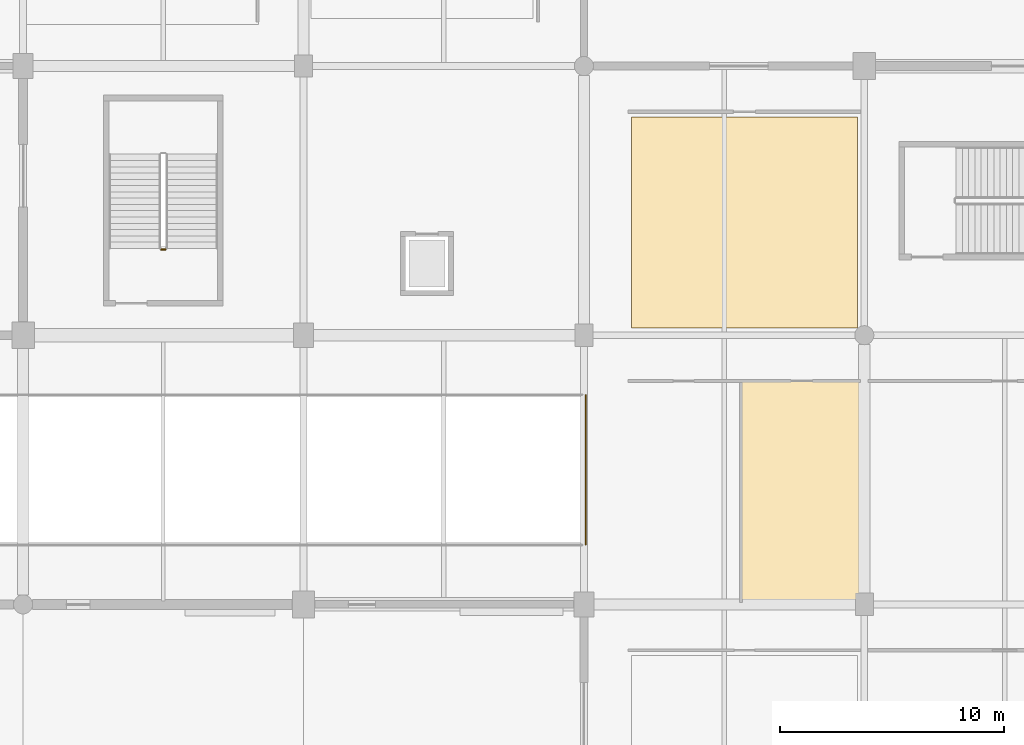
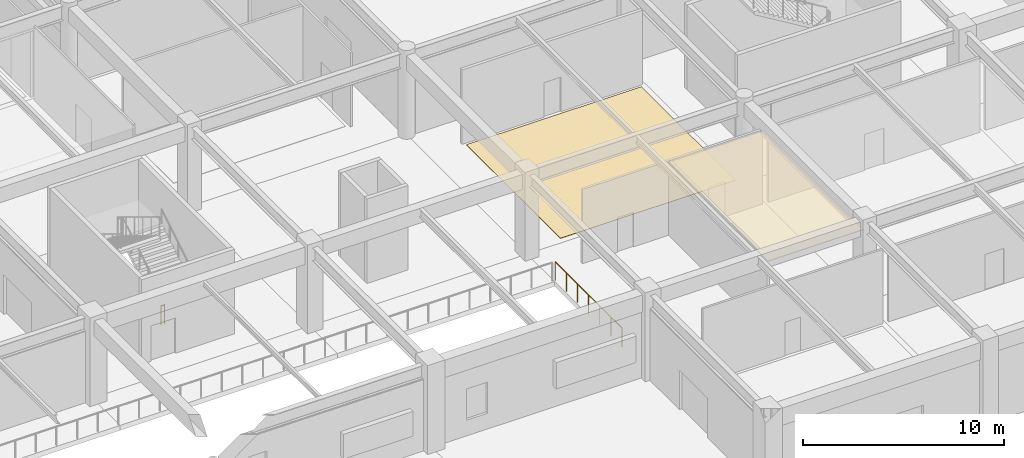
# One storey, part 40 of 69: 2 coverings, 2 railings.
"""IFC4 building model written with IfcOpenShell, lengths in metres."""

from ifc_helpers import new_model, si_unit, direction, frame, origin, origin_2d, place, context, subcontext, project, spatial, polyline, circle, outline, extrude, material, layer, layer_set, type_object, element, save


model = new_model("IFC4")

# Units and contexts
model_context = context("Model", 3, precision=1e-05, world=origin(), true_north=direction((0.0, 1.0)))
body_context = subcontext(model_context, "Body", "Model", "MODEL_VIEW")
ifc_project = project(units=[si_unit("LENGTHUNIT", "METRE"), si_unit("AREAUNIT", "SQUARE_METRE"), si_unit("VOLUMEUNIT", "CUBIC_METRE"), si_unit("PLANEANGLEUNIT", "RADIAN"), si_unit("MASSUNIT", "GRAM", prefix="KILO")], contexts=[model_context])

# Site, building, storey
site_placement = place(None, origin())
site = spatial("IfcSite", under=ifc_project, at=site_placement, CompositionType="ELEMENT")
building_placement = place(site_placement, origin())
building = spatial("IfcBuilding", under=site, at=building_placement, Name="Kazenohara Klinker Stadium", CompositionType="ELEMENT")
storey_placement = place(building_placement, origin())
storey = spatial("IfcBuildingStorey", under=building, at=storey_placement, Name="L00", CompositionType="ELEMENT", Elevation=0.0)

# Coverings
ifc_material_1 = material(Name="Slatted Hokkaido cedar acoustic baffle ceiling", Category="wood")
ifc_layer_1 = layer(ifc_material_1, 0.0400390625)
ifc_layer_set_1 = layer_set([ifc_layer_1], Name="Slatted Hokkaido cedar acoustic baffle ceiling")
covering_type_1 = type_object("IfcCoveringType", Name="COV-CEIL-02", PredefinedType="CEILING", material=ifc_layer_set_1)
covering_1_placement = place(storey_placement, frame((0.0, 0.0, 4.340087890625)))
element("IfcCovering", 1, at=covering_1_placement, inside=storey, type_object=covering_type_1, Name="Suspended acoustic ceiling CL02 Concourse Craft Beverage Tavern L00-0401B", PredefinedType="CEILING", context=body_context, shape_type="SweptSolid", body=[
    extrude(outline(polyline([(55.95947265625, 12.06005859375), (61.4599609375, 12.06005859375), (61.4599609375, 21.989990234375), (55.95947265625, 21.989990234375), (55.95947265625, 12.06005859375)])), origin(), (0.0, 0.0, 1.0), 0.039794921875),
])
ifc_material_2 = material(Name="Slip-resistant honed basalt terrazzo flooring", Category="masonry")
ifc_layer_2 = layer(ifc_material_2, 0.02001953125)
ifc_layer_set_2 = layer_set([ifc_layer_2], Name="Slip-resistant honed basalt terrazzo flooring")
covering_type_2 = type_object("IfcCoveringType", Name="COV-FLR-01", PredefinedType="FLOORING", material=ifc_layer_set_2)
covering_2_placement = place(storey_placement, origin())
element("IfcCovering", 2, at=covering_2_placement, inside=storey, type_object=covering_type_2, Name="Interior floor finish FL01 Spectator First-Aid Medical Clinic L00-0402A", PredefinedType="FLOORING", context=body_context, shape_type="SweptSolid", body=[
    extrude(outline(polyline([(51.1201171875, 24.330078125), (61.18994140625, 24.330078125), (61.18994140625, 33.719970703125), (51.1201171875, 33.719970703125), (51.1201171875, 24.330078125)])), origin(), (0.0, 0.0, 1.0), 0.02001953125),
])

# Railings
ifc_material_3 = material(Name="Galvanised powder-coated steel guardrail", Category="steel")
ifc_layer_3 = layer(ifc_material_3, 0.070068359375)
ifc_layer_set_3 = layer_set([ifc_layer_3], Name="Galvanised powder-coated steel guardrail")
railing_type_1 = type_object("IfcRailingType", Name="RL-GRD-1150", PredefinedType="GUARDRAIL", material=ifc_layer_set_3)
railing_1_placement = place(storey_placement, frame((49.080078125, 14.669921875, 0.0)))
element("IfcRailing", 3, at=railing_1_placement, inside=storey, type_object=railing_type_1, Name="Vehicle ramp floor opening guardrail GR01-E", PredefinedType="GUARDRAIL", context=body_context, shape_type="SweptSolid", body=[
    extrude(circle(Radius=0.02392578125, at=origin_2d()), frame((0.0, 0.0, 1.1259765625), z_axis=(0.0, 1.0, 0.0), x_axis=(-1.0, 0.0, 0.0)), (0.0, 0.0, 1.0), 6.66015625),
    extrude(circle(Radius=0.02099609375, at=origin_2d()), origin(), (0.0, 0.0, 1.0), 1.101806640625),
    extrude(circle(Radius=0.02099609375, at=origin_2d()), frame((0.0, 1.110107421875, 0.0)), (0.0, 0.0, 1.0), 1.101806640625),
    extrude(circle(Radius=0.02099609375, at=origin_2d()), frame((0.0, 2.219970703125, 0.0)), (0.0, 0.0, 1.0), 1.101806640625),
    extrude(circle(Radius=0.02099609375, at=origin_2d()), frame((0.0, 3.330078125, 0.0)), (0.0, 0.0, 1.0), 1.101806640625),
    extrude(circle(Radius=0.02099609375, at=origin_2d()), frame((0.0, 4.440185546875, 0.0)), (0.0, 0.0, 1.0), 1.101806640625),
    extrude(circle(Radius=0.02099609375, at=origin_2d()), frame((0.0, 5.550048828125, 0.0)), (0.0, 0.0, 1.0), 1.101806640625),
    extrude(circle(Radius=0.02099609375, at=origin_2d()), frame((0.0, 6.66015625, 0.0)), (0.0, 0.0, 1.0), 1.101806640625),
])
ifc_material_4 = material(Name="Painted steel stairwell guardrail", Category="steel")
ifc_layer_4 = layer(ifc_material_4, 0.06005859375)
ifc_layer_set_4 = layer_set([ifc_layer_4], Name="Painted steel stairwell guardrail")
railing_type_2 = type_object("IfcRailingType", Name="RL-STG-1120", PredefinedType="GUARDRAIL", material=ifc_layer_set_4)
railing_2_placement = place(storey_placement, frame((30.35009765625, 27.820068359375, 0.0)))
element("IfcRailing", 4, at=railing_2_placement, inside=storey, type_object=railing_type_2, Name="L00 ST07 stair guard 4", PredefinedType="GUARDRAIL", context=body_context, shape_type="SweptSolid", body=[
    extrude(circle(Radius=0.02392578125, at=origin_2d()), frame((0.0, 0.0, 1.1259765625), z_axis=(-1.0, 0.0, 0.0), x_axis=(0.0, -1.0, 0.0)), (0.0, 0.0, 1.0), 0.2001953125),
    extrude(circle(Radius=0.02099609375, at=origin_2d()), origin(), (0.0, 0.0, 1.0), 1.101806640625),
    extrude(circle(Radius=0.02099609375, at=origin_2d()), frame((-0.2001953125, 0.0, 0.0)), (0.0, 0.0, 1.0), 1.101806640625),
])

save(model, "model.ifc")
